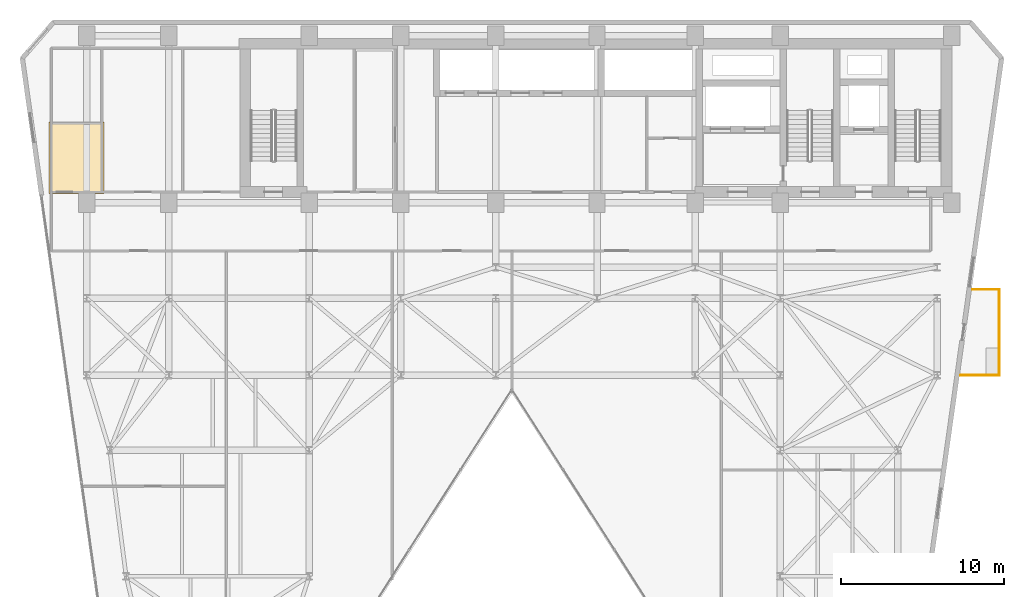
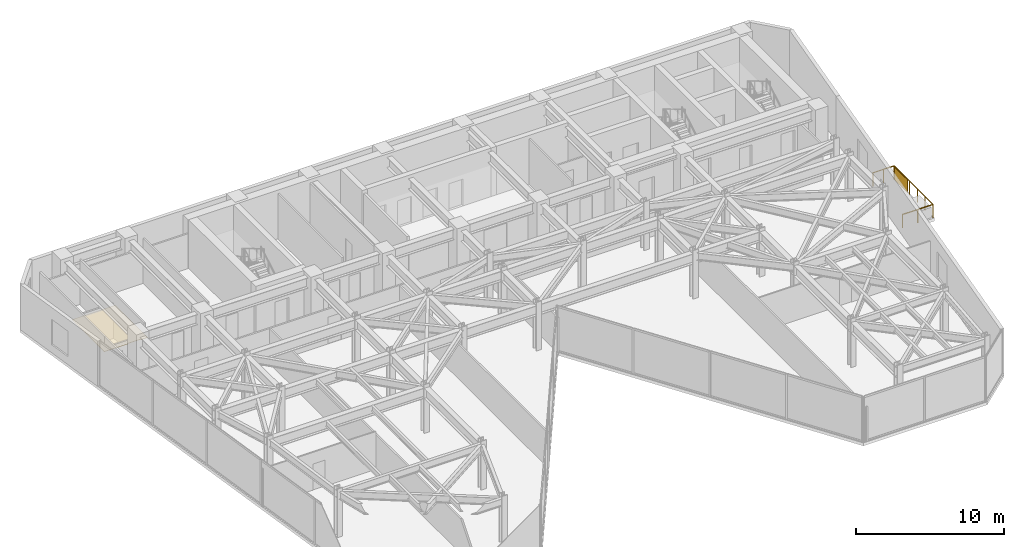
# One storey, part 24 of 26: 3 railings, 1 covering, 1 shading device.
"""IFC4 building model written with IfcOpenShell, lengths in metres."""

import ifcopenshell
import ifcopenshell.guid

model = None  # the IFC model being written
_history = None  # IfcOwnerHistory: only IFC2X3 demands one
_inside = {}  # id of a spatial element -> (the spatial element, [elements in it])
_under = {}  # id of a project, library or spatial element -> (it, [spatial elements below it])
_declared = {}  # id of a project -> (the project, [libraries it declares])
_typed = {}  # id of a type object -> (the type object, [elements of that type])
_made_of = {}  # id of a material, layer set ... -> (it, [elements and type objects made of it])


def new_model(schema):
    """Start an empty IFC model of exactly this schema.

    Asked for "IFC4X3", IfcOpenShell would pick the latest addendum, in which some entities
    have other attributes; the version numbers below select the first issue.
    IFC2X3 requires an IfcOwnerHistory on every rooted entity: one is made here for all.
    """
    global model, _history
    if schema == "IFC4X3":
        model = ifcopenshell.file(schema_version=(4, 3, 0, 0))
    else:
        model = ifcopenshell.file(schema=schema)
    _inside.clear()
    _under.clear()
    _declared.clear()
    _typed.clear()
    _made_of.clear()
    _history = None
    if model.schema == "IFC2X3":
        org = make("IfcOrganization", Name="unknown")
        user = make(
            "IfcPersonAndOrganization",
            ThePerson=make("IfcPerson", FamilyName="unknown"),
            TheOrganization=org,
        )
        app = make(
            "IfcApplication",
            ApplicationDeveloper=org,
            Version="unknown",
            ApplicationFullName="unknown",
            ApplicationIdentifier="unknown",
        )
        _history = make(
            "IfcOwnerHistory",
            OwningUser=user,
            OwningApplication=app,
            ChangeAction="ADDED",
            CreationDate=0,
        )
    return model


def make(cls, **values):
    """One entity of the class cls with the attributes given. An attribute that is None is left unset."""
    return model.create_entity(
        cls, **{name: value for name, value in values.items() if value is not None}
    )


def rooted(cls, **values):
    """An entity with a GlobalId (a new one), such as an element, a storey or a relation."""
    return make(cls, GlobalId=ifcopenshell.guid.new(), OwnerHistory=_history, **values)


def si_unit(unit_type, name, prefix=None):
    """IfcSIUnit, for example si_unit("LENGTHUNIT", "METRE", prefix="MILLI")."""
    return make("IfcSIUnit", UnitType=unit_type, Prefix=prefix, Name=name)


def assignment(units):
    """IfcUnitAssignment: the units of a project."""
    return None if units is None else make("IfcUnitAssignment", Units=units)


def point(xyz):
    """IfcCartesianPoint."""
    return None if xyz is None else make("IfcCartesianPoint", Coordinates=xyz)


def direction(xyz):
    """IfcDirection."""
    return None if xyz is None else make("IfcDirection", DirectionRatios=xyz)


def frame(location, z_axis=None, x_axis=None):
    """IfcAxis2Placement3D, a coordinate frame: its origin and axes. An axis left out is left unset."""
    return make(
        "IfcAxis2Placement3D",
        Location=point(location),
        Axis=direction(z_axis),
        RefDirection=direction(x_axis),
    )


def frame_2d(location, x_axis=None):
    """IfcAxis2Placement2D, a coordinate frame in the plane: its origin and x axis."""
    return make(
        "IfcAxis2Placement2D", Location=point(location), RefDirection=direction(x_axis)
    )


def origin():
    """The frame at (0, 0, 0) with its axes left unset."""
    return frame((0.0, 0.0, 0.0))


def origin_2d():
    """The frame at (0, 0) in the plane with its x axis left unset."""
    return frame_2d((0.0, 0.0))


def place(relative_to, where):
    """IfcLocalPlacement: puts the frame where relative to a parent placement (None: the world)."""
    return make(
        "IfcLocalPlacement", PlacementRelTo=relative_to, RelativePlacement=where
    )


def context(
    kind, dimensions, precision=None, world=None, true_north=None, identifier=None
):
    """IfcGeometricRepresentationContext, for example the 3D "Model" context."""
    return make(
        "IfcGeometricRepresentationContext",
        ContextIdentifier=identifier,
        ContextType=kind,
        CoordinateSpaceDimension=dimensions,
        Precision=precision,
        WorldCoordinateSystem=world,
        TrueNorth=true_north,
    )


def subcontext(parent, identifier, kind, view, scale=None):
    """IfcGeometricRepresentationSubContext, for example "Body" below "Model"."""
    return make(
        "IfcGeometricRepresentationSubContext",
        ContextIdentifier=identifier,
        ContextType=kind,
        ParentContext=parent,
        TargetScale=scale,
        TargetView=view,
    )


def project(units=None, contexts=None):
    """IfcProject with its units and contexts."""
    return rooted(
        "IfcProject",
        Name="project",
        RepresentationContexts=contexts,
        UnitsInContext=assignment(units),
    )


def spatial(cls, under=None, at=None, **own):
    """A site, building, storey or space (cls), placed at a placement, below another one or the project."""
    s = rooted(cls, ObjectPlacement=at, **own)
    if under is not None:
        _under.setdefault(under.id(), (under, []))[1].append(s)
    return s


def polyline(points):
    """IfcPolyline through the points."""
    return make("IfcPolyline", Points=[point(p) for p in points])


def profile(cls, at=None, kind="AREA", **sizes):
    """A parametric profile (cls). Its sizes go by their IFC names, for example OverallWidth=200.0."""
    return make(cls, ProfileType=kind, Position=at, **sizes)


def rectangle(**sizes):
    """IfcRectangleProfileDef."""
    return profile("IfcRectangleProfileDef", **sizes)


def circle(**sizes):
    """IfcCircleProfileDef."""
    return profile("IfcCircleProfileDef", **sizes)


def outline(outer, holes=None, kind="AREA"):
    """IfcArbitraryClosedProfileDef: a profile drawn as a closed curve; with holes, ...WithVoids."""
    if holes is None:
        return make("IfcArbitraryClosedProfileDef", ProfileType=kind, OuterCurve=outer)
    return make(
        "IfcArbitraryProfileDefWithVoids",
        ProfileType=kind,
        OuterCurve=outer,
        InnerCurves=holes,
    )


def extrude(swept, where, along, depth):
    """IfcExtrudedAreaSolid: the profile swept, set in the frame where, extruded along a direction by depth."""
    return make(
        "IfcExtrudedAreaSolid",
        SweptArea=swept,
        Position=where,
        ExtrudedDirection=direction(along),
        Depth=depth,
    )


def shape(context_of_items, identifier, shape_type, items):
    """IfcShapeRepresentation: the items that make up one representation, for example the "Body"."""
    return make(
        "IfcShapeRepresentation",
        ContextOfItems=context_of_items,
        RepresentationIdentifier=identifier,
        RepresentationType=shape_type,
        Items=items,
    )


def material(Name=None, Category=None):
    """IfcMaterial."""
    return make("IfcMaterial", Name=Name, Category=Category)


def layer(
    of_material, thickness, ventilated=None, Name=None, Category=None, Priority=None
):
    """IfcMaterialLayer: one layer of a wall or slab, of a material (None: an air gap)."""
    return make(
        "IfcMaterialLayer",
        Material=of_material,
        LayerThickness=thickness,
        IsVentilated=ventilated,
        Name=Name,
        Category=Category,
        Priority=Priority,
    )


def layer_set(layers, Name=None):
    """IfcMaterialLayerSet."""
    return make("IfcMaterialLayerSet", MaterialLayers=layers, LayerSetName=Name)


def made_of(thing, what):
    """Note that an element or type object is made of a material, layer set ...; save() writes the relation."""
    if what is not None:
        _made_of.setdefault(what.id(), (what, []))[1].append(thing)
    return thing


def type_object(cls, material=None, **own):
    """A type object (cls), such as IfcWallType, which elements share."""
    return made_of(rooted(cls, **own), material)


def element(
    cls,
    number,
    at=None,
    inside=None,
    cuts=None,
    type_object=None,
    material=None,
    context=None,
    identifier="Body",
    shape_type=None,
    held_by="IfcProductDefinitionShape",
    body=None,
    shapes=None,
    **own,
):
    """One element of the class cls, such as IfcWall. Its Tag is "e" and its number.

    at: its placement. inside: the storey or other place that contains it. cuts: it is an
    opening in that element (IfcRelVoidsElement). A single representation is given by context,
    identifier, shape_type and body (its items); several are given by shapes. held_by: the class
    of the entity that holds the representations. save() writes the other relations.
    """
    e = rooted(cls, Tag="e%d" % number, ObjectPlacement=at, **own)
    if body is not None:
        shapes = [shape(context, identifier, shape_type, body)]
    if shapes is not None:
        e.Representation = make(held_by, Representations=shapes)
    if inside is not None:
        _inside.setdefault(inside.id(), (inside, []))[1].append(e)
    if cuts is not None:
        rooted(
            "IfcRelVoidsElement", RelatingBuildingElement=cuts, RelatedOpeningElement=e
        )
    if type_object is not None:
        _typed.setdefault(type_object.id(), (type_object, []))[1].append(e)
    return made_of(e, material)


def aggregate(whole, parts):
    """IfcRelAggregates: a whole, such as a stair, and the parts it consists of."""
    return rooted("IfcRelAggregates", RelatingObject=whole, RelatedObjects=parts)


def save(model, path):
    """Write the relations noted so far, then the file.

    IfcRelAggregates (storeys below a building ...), IfcRelContainedInSpatialStructure (elements
    in a storey), IfcRelDefinesByType, IfcRelAssociatesMaterial and IfcRelDeclares: one each for
    every whole, place, type object, material and project.
    """
    for whole, parts in _under.values():
        aggregate(whole, parts)
    for where, things in _inside.values():
        rooted(
            "IfcRelContainedInSpatialStructure",
            RelatedElements=things,
            RelatingStructure=where,
        )
    for kind, things in _typed.values():
        rooted("IfcRelDefinesByType", RelatedObjects=things, RelatingType=kind)
    for what, things in _made_of.values():
        rooted("IfcRelAssociatesMaterial", RelatedObjects=things, RelatingMaterial=what)
    for by, libraries in _declared.values():
        rooted("IfcRelDeclares", RelatingContext=by, RelatedDefinitions=libraries)
    model.write(path)


model = new_model("IFC4")

# Units and contexts
model_context = context("Model", 3, precision=1e-05, world=origin(), true_north=direction((0.0, 1.0)))
body_context = subcontext(model_context, "Body", "Model", "MODEL_VIEW")
ifc_project = project(units=[si_unit("LENGTHUNIT", "METRE"), si_unit("AREAUNIT", "SQUARE_METRE"), si_unit("VOLUMEUNIT", "CUBIC_METRE"), si_unit("PLANEANGLEUNIT", "RADIAN"), si_unit("MASSUNIT", "GRAM", prefix="KILO")], contexts=[model_context])

# Site, building, storey
site_placement = place(None, origin())
site = spatial("IfcSite", under=ifc_project, at=site_placement, CompositionType="ELEMENT")
building_placement = place(site_placement, origin())
building = spatial("IfcBuilding", under=site, at=building_placement, Name="Kravanh Interchange Tower", CompositionType="ELEMENT")
storey_placement = place(building_placement, frame((0.0, 0.0, 152.0)))
storey = spatial("IfcBuildingStorey", under=building, at=storey_placement, Name="L36", CompositionType="ELEMENT", Elevation=152.0)

# Covering
ifc_material_1 = material(Name="Acoustic Mineral Fibre Tile on Aluminium Grid", Category="aluminium")
ifc_layer_1 = layer(ifc_material_1, 0.02490234375)
ifc_layer_set_1 = layer_set([ifc_layer_1], Name="Perforated Acoustic Mineral Ceiling 25mm")
covering_type = type_object("IfcCoveringType", Name="Perforated Acoustic Mineral Ceiling 25mm", PredefinedType="CEILING", material=ifc_layer_set_1)
covering_placement = place(storey_placement, frame((0.0, 0.0, 2.550048828125)))
element("IfcCovering", 1, at=covering_placement, inside=storey, type_object=covering_type, Name="L36 Accessible WC Suspended Ceiling", PredefinedType="CEILING", context=body_context, shape_type="SweptSolid", body=[
    extrude(outline(polyline([(14.659912109375, 42.280029296875), (14.659912109375, 37.909912109375), (14.10009765625, 37.909912109375), (14.10009765625, 37.949951171875), (13.10009765625, 37.949951171875), (13.10009765625, 37.909912109375), (11.280029296875, 37.909912109375), (11.280029296875, 42.280029296875), (14.659912109375, 42.280029296875)])), origin(), (0.0, 0.0, 1.0), 0.02490234375),
])

# Shading device
ifc_material_2 = material(Name="Perforated Anodised Bronze Aluminium", Category="aluminium")
ifc_layer_2 = layer(ifc_material_2, 0.0400390625)
ifc_layer_set_2 = layer_set([ifc_layer_2], Name="Perforated Bronze Balcony Privacy Screen 1150mm")
shading_device_type = type_object("IfcShadingDeviceType", Name="Perforated Bronze Balcony Privacy Screen 1150mm", PredefinedType="USERDEFINED", material=ifc_layer_set_2)
shading_device_placement = place(storey_placement, frame((69.409912109375, 31.06005859375, 0.0), z_axis=(0.0, 0.0, 1.0), x_axis=(1.0, 0.0, 0.0)))
element("IfcShadingDevice", 2, at=shading_device_placement, inside=storey, type_object=shading_device_type, Name="L36 E Perforated Bronze BALCONY SCREEN", ObjectType="SCREEN", PredefinedType="USERDEFINED", context=body_context, shape_type="SweptSolid", body=[
    extrude(rectangle(XDim=0.0400390625, YDim=1.800048828125, at=origin_2d()), origin(), (0.0, 0.0, 1.0), 1.14990234375),
])

# Railings
ifc_material_3 = material(Name="Stainless Steel 316", Category="steel")
ifc_layer_3 = layer(ifc_material_3, 0.06005859375)
ifc_layer_set_3 = layer_set([ifc_layer_3], Name="Perimeter Balcony and Terrace Guardrail Stainless 316 1120mm")
railing_type = type_object("IfcRailingType", Name="Perimeter Balcony and Terrace Guardrail Stainless 316 1120mm", PredefinedType="GUARDRAIL", material=ifc_layer_set_3)
railing_1_placement = place(storey_placement, frame((69.409912109375, 32.030029296875, 0.0)))
element("IfcRailing", 3, at=railing_1_placement, inside=storey, type_object=railing_type, Name="L36 E Balcony Guardrail 1", PredefinedType="GUARDRAIL", context=body_context, shape_type="SweptSolid", body=[
    extrude(circle(Radius=0.02392578125, at=origin_2d()), frame((0.0, 0.0, 1.09619140625), z_axis=(0.0, -1.0, 0.0), x_axis=(1.0, 0.0, 0.0)), (0.0, 0.0, 1.0), 5.239990234375),
    extrude(circle(Radius=0.02099609375, at=origin_2d()), origin(), (0.0, 0.0, 1.0), 1.072021484375),
    extrude(circle(Radius=0.02099609375, at=origin_2d()), frame((0.0, -1.048095703125, 0.0)), (0.0, 0.0, 1.0), 1.072021484375),
    extrude(circle(Radius=0.02099609375, at=origin_2d()), frame((0.0, -2.095947265625, 0.0)), (0.0, 0.0, 1.0), 1.072021484375),
    extrude(circle(Radius=0.02099609375, at=origin_2d()), frame((0.0, -3.14404296875, 0.0)), (0.0, 0.0, 1.0), 1.072021484375),
    extrude(circle(Radius=0.02099609375, at=origin_2d()), frame((0.0, -4.19189453125, 0.0)), (0.0, 0.0, 1.0), 1.072021484375),
    extrude(circle(Radius=0.02099609375, at=origin_2d()), frame((0.0, -5.239990234375, 0.0)), (0.0, 0.0, 1.0), 1.072021484375),
])
railing_2_placement = place(storey_placement, frame((69.409912109375, 26.7900390625, 0.0)))
element("IfcRailing", 4, at=railing_2_placement, inside=storey, type_object=railing_type, Name="L36 E Balcony Guardrail 2", PredefinedType="GUARDRAIL", context=body_context, shape_type="SweptSolid", body=[
    extrude(circle(Radius=0.02392578125, at=origin_2d()), frame((0.0, 0.0, 1.09619140625), z_axis=(-1.0, 0.0, 0.0), x_axis=(0.0, -1.0, 0.0)), (0.0, 0.0, 1.0), 2.364990234375),
    extrude(circle(Radius=0.02099609375, at=origin_2d()), origin(), (0.0, 0.0, 1.0), 1.072021484375),
    extrude(circle(Radius=0.02099609375, at=origin_2d()), frame((-1.1826171875, 0.0, 0.0)), (0.0, 0.0, 1.0), 1.072021484375),
    extrude(circle(Radius=0.02099609375, at=origin_2d()), frame((-2.364990234375, 0.0, 0.0)), (0.0, 0.0, 1.0), 1.072021484375),
])
railing_3_placement = place(storey_placement, frame((67.78125, 32.030029296875, 0.0)))
element("IfcRailing", 5, at=railing_3_placement, inside=storey, type_object=railing_type, Name="L36 E Balcony Guardrail 3", PredefinedType="GUARDRAIL", context=body_context, shape_type="SweptSolid", body=[
    extrude(circle(Radius=0.02392578125, at=origin_2d()), frame((0.0, 0.0, 1.09619140625), z_axis=(1.0, 0.0, 0.0), x_axis=(0.0, 1.0, 0.0)), (0.0, 0.0, 1.0), 1.628662109375),
    extrude(circle(Radius=0.02099609375, at=origin_2d()), origin(), (0.0, 0.0, 1.0), 1.072021484375),
    extrude(circle(Radius=0.02099609375, at=origin_2d()), frame((0.814453125, 0.0, 0.0)), (0.0, 0.0, 1.0), 1.072021484375),
    extrude(circle(Radius=0.02099609375, at=origin_2d()), frame((1.628662109375, 0.0, 0.0)), (0.0, 0.0, 1.0), 1.072021484375),
])

save(model, "model.ifc")
